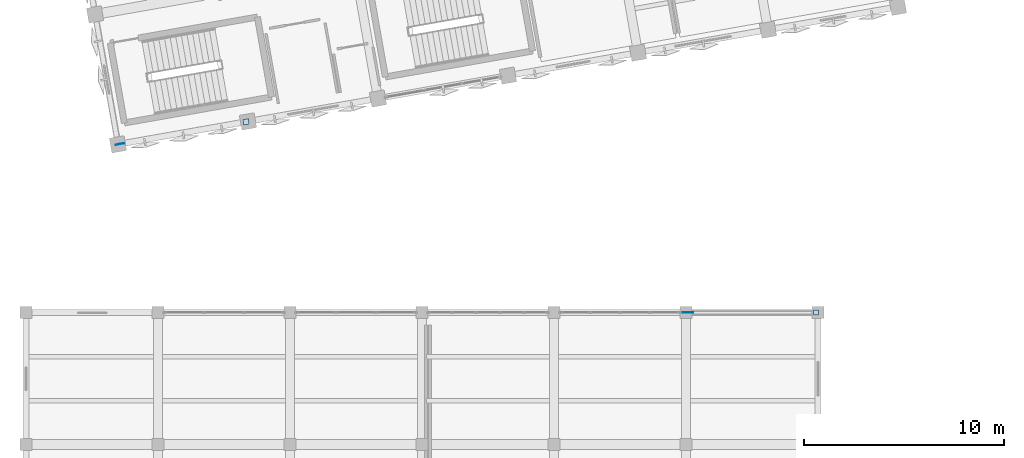
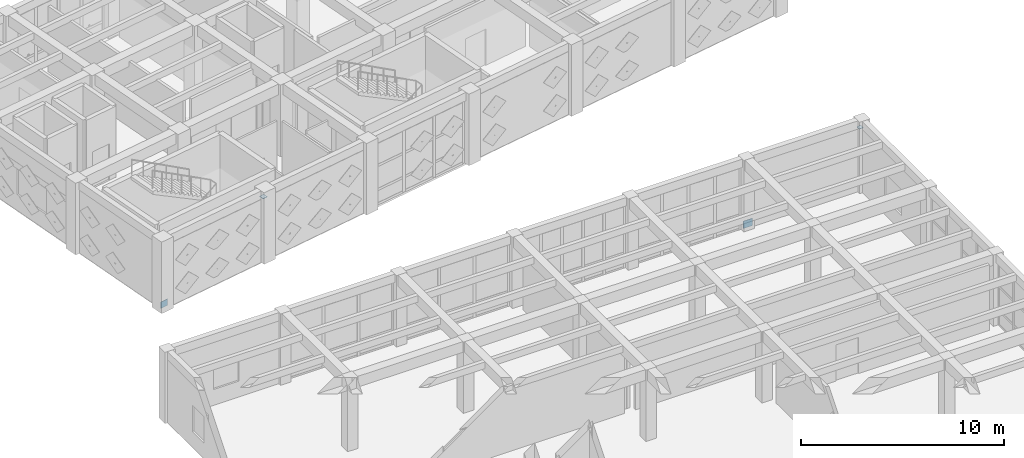
# One storey, part 60 of 80: 4 plates.
"""IFC4 building model written with IfcOpenShell, lengths in metres."""

from ifc_helpers import new_model, si_unit, direction, frame, origin, origin_2d, place, context, subcontext, project, spatial, rectangle, extrude, material, layer, layer_set, type_object, element, save


model = new_model("IFC4")

# Units and contexts
model_context = context("Model", 3, precision=1e-05, world=origin(), true_north=direction((0.0, 1.0)))
body_context = subcontext(model_context, "Body", "Model", "MODEL_VIEW")
ifc_project = project(units=[si_unit("LENGTHUNIT", "METRE"), si_unit("AREAUNIT", "SQUARE_METRE"), si_unit("VOLUMEUNIT", "CUBIC_METRE"), si_unit("PLANEANGLEUNIT", "RADIAN"), si_unit("MASSUNIT", "GRAM", prefix="KILO")], contexts=[model_context])

# Site, building, storey
site_placement = place(None, origin())
site = spatial("IfcSite", under=ifc_project, at=site_placement, CompositionType="ELEMENT")
building_placement = place(site_placement, origin())
building = spatial("IfcBuilding", under=site, at=building_placement, Name="Kharisveld Research Institute", CompositionType="ELEMENT")
storey_placement = place(building_placement, frame((0.0, 0.0, 5.10009765625)))
storey = spatial("IfcBuildingStorey", under=building, at=storey_placement, Name="L01", CompositionType="ELEMENT", Elevation=5.10009765625)

# Plates
ifc_material_1 = material(Name="Steel S355JR", Category="steel")
ifc_layer_1 = layer(ifc_material_1, 0.02197265625)
ifc_layer_set_1 = layer_set([ifc_layer_1], Name="PL_CAP_C")
plate_type_1 = type_object("IfcPlateType", Name="PL_CAP_C", PredefinedType="SHEET", material=ifc_layer_set_1)
plate_1_placement = place(storey_placement, frame((11.601318359375, 36.138671875, 3.7490234375), z_axis=(0.0, 0.0, 1.0), x_axis=(0.984807753012, 0.173648177667, 0.0)))
element("IfcPlate", 1, at=plate_1_placement, inside=storey, type_object=plate_type_1, Name="PLT:V1:L01:CAP_0_0", PredefinedType="SHEET", context=body_context, shape_type="SweptSolid", body=[
    extrude(rectangle(XDim=0.280029296875, YDim=0.280029296875, at=origin_2d()), origin(), (0.0, 0.0, 1.0), 0.02197265625),
])
ifc_material_2 = material(Name="Steel S355JR", Category="steel")
ifc_layer_2 = layer(ifc_material_2, 0.02587890625)
ifc_layer_set_2 = layer_set([ifc_layer_2], Name="PL_CAP_D")
plate_type_2 = type_object("IfcPlateType", Name="PL_CAP_D", PredefinedType="SHEET", material=ifc_layer_set_2)
plate_2_placement = place(storey_placement, frame((40.10009765625, 26.60009765625, 3.737060546875), z_axis=(0.0, 0.0, 1.0), x_axis=(1.0, 0.0, 0.0)))
element("IfcPlate", 2, at=plate_2_placement, inside=storey, type_object=plate_type_2, Name="PLT:V3:L01:CAP_5_4", PredefinedType="SHEET", context=body_context, shape_type="SweptSolid", body=[
    extrude(rectangle(XDim=0.239990234375, YDim=0.239990234375, at=origin_2d()), origin(), (0.0, 0.0, 1.0), 0.02587890625),
])
ifc_material_3 = material(Name="Steel S355JR", Category="steel")
ifc_layer_3 = layer(ifc_material_3, 0.02392578125)
ifc_layer_set_3 = layer_set([ifc_layer_3], Name="PL_GUS_C")
plate_type_3 = type_object("IfcPlateType", Name="PL_GUS_C", PredefinedType="USERDEFINED", material=ifc_layer_set_3)
plate_3_placement = place(storey_placement, frame((5.298583984375, 35.02734375, 0.010009765625), z_axis=(0.0, 0.0, 1.0), x_axis=(0.984807753012, 0.173648177667, 0.0)))
element("IfcPlate", 3, at=plate_3_placement, inside=storey, type_object=plate_type_3, Name="PLT:V1:L01:GUS_0_0", ObjectType="GUSSET PLATE", PredefinedType="USERDEFINED", context=body_context, shape_type="SweptSolid", body=[
    extrude(rectangle(XDim=0.43994140625, YDim=0.02392578125, at=origin_2d()), origin(), (0.0, 0.0, 1.0), 0.3798828125),
])
ifc_material_4 = material(Name="Steel S355JR", Category="steel")
ifc_layer_4 = layer(ifc_material_4, 0.028076171875)
ifc_layer_set_4 = layer_set([ifc_layer_4], Name="PL_GUS_D")
plate_type_4 = type_object("IfcPlateType", Name="PL_GUS_D", PredefinedType="USERDEFINED", material=ifc_layer_set_4)
plate_4_placement = place(storey_placement, frame((33.699951171875, 26.60009765625, -0.02001953125), z_axis=(0.0, 0.0, 1.0), x_axis=(1.0, 0.0, 0.0)))
element("IfcPlate", 4, at=plate_4_placement, inside=storey, type_object=plate_type_4, Name="PLT:V3:L01:GUS_5_4", ObjectType="GUSSET PLATE", PredefinedType="USERDEFINED", context=body_context, shape_type="SweptSolid", body=[
    extrude(rectangle(XDim=0.52001953125, YDim=0.028076171875, at=origin_2d()), origin(), (0.0, 0.0, 1.0), 0.43994140625),
])

save(model, "model.ifc")
